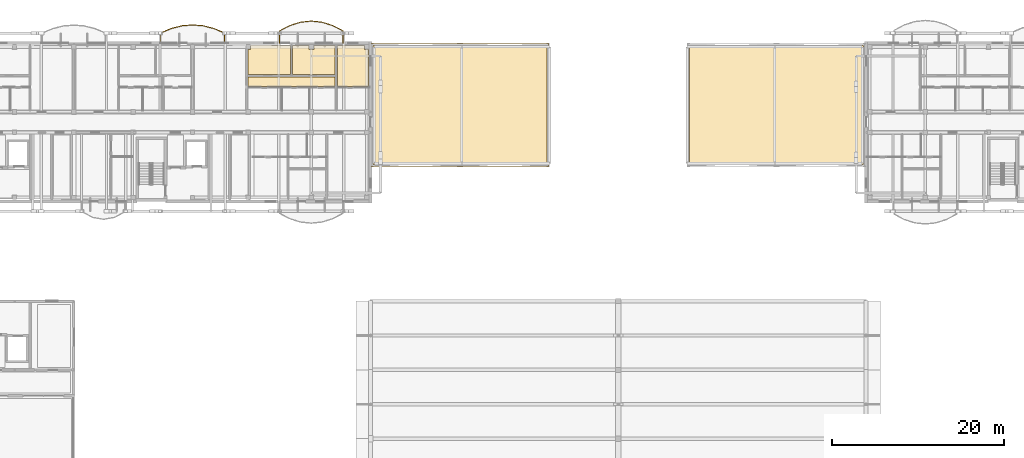
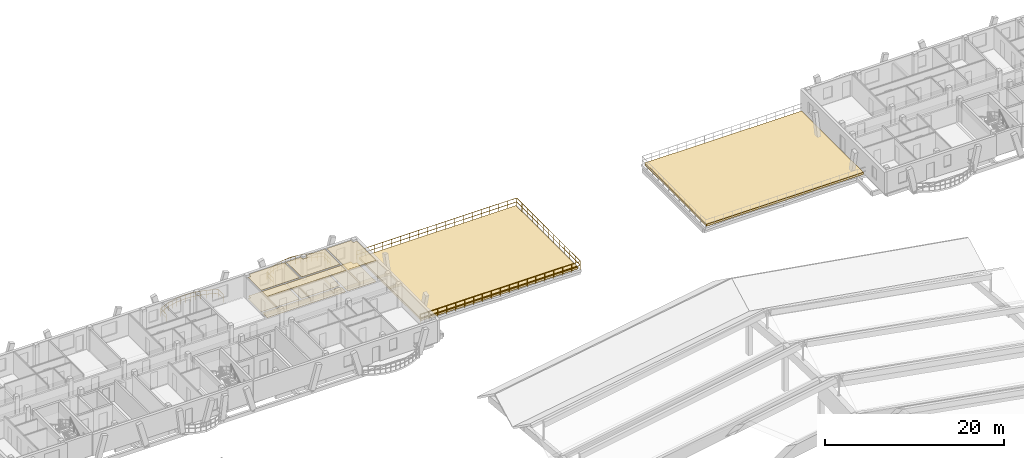
# One storey, part 98 of 109: 10 coverings, 3 railings.
"""IFC4 building model written with IfcOpenShell, lengths in metres."""

from ifc_helpers import new_model, si_unit, direction, frame, origin, origin_2d, place, context, subcontext, project, spatial, polyline, rectangle, outline, extrude, material, layer, layer_set, type_object, element, save


model = new_model("IFC4")

# Units and contexts
model_context = context("Model", 3, precision=1e-05, world=origin(), true_north=direction((0.0, 1.0)))
body_context = subcontext(model_context, "Body", "Model", "MODEL_VIEW")
ifc_project = project(units=[si_unit("LENGTHUNIT", "METRE"), si_unit("AREAUNIT", "SQUARE_METRE"), si_unit("VOLUMEUNIT", "CUBIC_METRE"), si_unit("PLANEANGLEUNIT", "RADIAN"), si_unit("MASSUNIT", "GRAM", prefix="KILO")], contexts=[model_context])

# Site, building, storey
site_placement = place(None, origin())
site = spatial("IfcSite", under=ifc_project, at=site_placement, CompositionType="ELEMENT")
building_placement = place(site_placement, origin())
building = spatial("IfcBuilding", under=site, at=building_placement, Name="Zavelmont Quarter", CompositionType="ELEMENT")
storey_placement = place(building_placement, frame((0.0, 0.0, 8.0)))
storey = spatial("IfcBuildingStorey", under=building, at=storey_placement, Name="L02", CompositionType="ELEMENT", Elevation=8.0)

# Coverings
ifc_material_1 = material(Name="Perforated acoustic gypsum board")
ifc_layer_1 = layer(ifc_material_1, 0.02490234375)
ifc_layer_set_1 = layer_set([ifc_layer_1], Name="Perforated acoustic gypsum board")
covering_type_1 = type_object("IfcCoveringType", Name="CV-CL01", PredefinedType="CEILING", material=ifc_layer_set_1)
covering_1_placement = place(storey_placement, frame((0.0, 0.0, 2.9150390625)))
element("IfcCovering", 1, at=covering_1_placement, inside=storey, type_object=covering_type_1, Name="L02 Single Bedroom acoustic ceiling", PredefinedType="CEILING", context=body_context, shape_type="SweptSolid", body=[
    extrude(outline(polyline([(40.929931640625, 115.27001953125), (41.25, 115.27001953125), (41.25, 115.719970703125), (45.8701171875, 115.719970703125), (45.8701171875, 112.330078125), (40.929931640625, 112.330078125), (40.929931640625, 115.27001953125)])), origin(), (0.0, 0.0, 1.0), 0.02490234375),
])
covering_2_placement = place(storey_placement, frame((0.0, 0.0, 2.9150390625)))
element("IfcCovering", 2, at=covering_2_placement, inside=storey, type_object=covering_type_1, Name="L02 Double Bedroom acoustic ceiling", PredefinedType="CEILING", context=body_context, shape_type="SweptSolid", body=[
    extrude(outline(polyline([(46.1298828125, 115.719970703125), (48.010009765625, 115.719970703125), (48.010009765625, 115.27001953125), (48.590087890625, 115.27001953125), (48.590087890625, 115.719970703125), (51.070068359375, 115.719970703125), (51.070068359375, 112.330078125), (46.1298828125, 112.330078125), (46.1298828125, 115.719970703125)])), origin(), (0.0, 0.0, 1.0), 0.02490234375),
])
covering_3_placement = place(storey_placement, frame((0.0, 0.0, 2.9150390625)))
element("IfcCovering", 3, at=covering_3_placement, inside=storey, type_object=covering_type_1, Name="L02 Master Bedroom acoustic ceiling", PredefinedType="CEILING", context=body_context, shape_type="SweptSolid", body=[
    extrude(outline(polyline([(51.330078125, 115.719970703125), (54.469970703125, 115.719970703125), (54.469970703125, 115.27001953125), (54.969970703125, 115.27001953125), (54.969970703125, 110.97998046875), (51.330078125, 110.97998046875), (51.330078125, 115.719970703125)])), origin(), (0.0, 0.0, 1.0), 0.02490234375),
])
ifc_material_2 = material(Name="Slatted European ash acoustic baffle ceiling")
ifc_layer_2 = layer(ifc_material_2, 0.0400390625)
ifc_layer_set_2 = layer_set([ifc_layer_2], Name="Slatted European ash acoustic baffle ceiling")
covering_type_2 = type_object("IfcCoveringType", Name="CV-CL02", PredefinedType="CEILING", material=ifc_layer_set_2)
covering_4_placement = place(storey_placement, frame((0.0, 0.0, 2.89990234375)))
element("IfcCovering", 4, at=covering_4_placement, inside=storey, type_object=covering_type_2, Name="L02 Apartment Hall acoustic ceiling", PredefinedType="CEILING", context=body_context, shape_type="SweptSolid", body=[
    extrude(outline(polyline([(40.929931640625, 112.070068359375), (51.070068359375, 112.070068359375), (51.070068359375, 110.97998046875), (40.929931640625, 110.97998046875), (40.929931640625, 112.070068359375)])), origin(), (0.0, 0.0, 1.0), 0.0400390625),
])
ifc_material_3 = material(Name="Engineered European oak parquet")
ifc_layer_3 = layer(ifc_material_3, 0.02197265625)
ifc_layer_set_3 = layer_set([ifc_layer_3], Name="Engineered European oak parquet")
covering_type_3 = type_object("IfcCoveringType", Name="CV-FL01", PredefinedType="FLOORING", material=ifc_layer_set_3)
covering_5_placement = place(storey_placement, origin())
element("IfcCovering", 5, at=covering_5_placement, inside=storey, type_object=covering_type_3, Name="L02 Single Bedroom floor finish", PredefinedType="FLOORING", context=body_context, shape_type="SweptSolid", body=[
    extrude(outline(polyline([(40.929931640625, 115.27001953125), (41.25, 115.27001953125), (41.25, 115.719970703125), (45.8701171875, 115.719970703125), (45.8701171875, 112.330078125), (40.929931640625, 112.330078125), (40.929931640625, 115.27001953125)])), origin(), (0.0, 0.0, 1.0), 0.02197265625),
])
covering_6_placement = place(storey_placement, origin())
element("IfcCovering", 6, at=covering_6_placement, inside=storey, type_object=covering_type_3, Name="L02 Double Bedroom floor finish", PredefinedType="FLOORING", context=body_context, shape_type="SweptSolid", body=[
    extrude(outline(polyline([(46.1298828125, 115.719970703125), (48.010009765625, 115.719970703125), (48.010009765625, 115.27001953125), (48.590087890625, 115.27001953125), (48.590087890625, 115.719970703125), (51.070068359375, 115.719970703125), (51.070068359375, 112.330078125), (46.1298828125, 112.330078125), (46.1298828125, 115.719970703125)])), origin(), (0.0, 0.0, 1.0), 0.02197265625),
])
covering_7_placement = place(storey_placement, origin())
element("IfcCovering", 7, at=covering_7_placement, inside=storey, type_object=covering_type_3, Name="L02 Master Bedroom floor finish", PredefinedType="FLOORING", context=body_context, shape_type="SweptSolid", body=[
    extrude(outline(polyline([(51.330078125, 115.719970703125), (54.469970703125, 115.719970703125), (54.469970703125, 115.27001953125), (54.969970703125, 115.27001953125), (54.969970703125, 110.97998046875), (51.330078125, 110.97998046875), (51.330078125, 115.719970703125)])), origin(), (0.0, 0.0, 1.0), 0.02197265625),
])
ifc_material_4 = material(Name="Honed Belgian bluestone tile", Category="masonry")
ifc_layer_4 = layer(ifc_material_4, 0.030029296875)
ifc_layer_set_4 = layer_set([ifc_layer_4], Name="Honed Belgian bluestone tile")
covering_type_4 = type_object("IfcCoveringType", Name="CV-FL02", PredefinedType="FLOORING", material=ifc_layer_set_4)
covering_8_placement = place(storey_placement, origin())
element("IfcCovering", 8, at=covering_8_placement, inside=storey, type_object=covering_type_4, Name="L02 Apartment Hall floor finish", PredefinedType="FLOORING", context=body_context, shape_type="SweptSolid", body=[
    extrude(outline(polyline([(40.929931640625, 112.070068359375), (51.070068359375, 112.070068359375), (51.070068359375, 110.97998046875), (40.929931640625, 110.97998046875), (40.929931640625, 112.070068359375)])), origin(), (0.0, 0.0, 1.0), 0.030029296875),
])
ifc_material_5 = material(Name="EPDM waterproofing membrane and mineral insulation")
ifc_layer_5 = layer(ifc_material_5, 0.280029296875)
ifc_layer_set_5 = layer_set([ifc_layer_5], Name="EPDM waterproofing membrane and mineral insulation")
covering_type_5 = type_object("IfcCoveringType", Name="CV-RF02", PredefinedType="ROOFING", material=ifc_layer_set_5)
covering_9_placement = place(storey_placement, origin())
element("IfcCovering", 9, at=covering_9_placement, inside=storey, type_object=covering_type_5, Name="L02 roof build-up CV-RF02", PredefinedType="ROOFING", context=body_context, shape_type="SweptSolid", body=[
    extrude(outline(polyline([(55.5, 101.89990234375), (75.699951171875, 101.89990234375), (75.699951171875, 115.699951171875), (55.5, 115.699951171875), (55.5, 101.89990234375)])), origin(), (0.0, 0.0, 1.0), 0.280029296875),
])
covering_10_placement = place(storey_placement, origin())
element("IfcCovering", 10, at=covering_10_placement, inside=storey, type_object=covering_type_5, Name="L02 roof build-up CV-RF02", PredefinedType="ROOFING", context=body_context, shape_type="SweptSolid", body=[
    extrude(outline(polyline([(92.300048828125, 101.89990234375), (112.5, 101.89990234375), (112.5, 115.699951171875), (92.300048828125, 115.699951171875), (92.300048828125, 101.89990234375)])), origin(), (0.0, 0.0, 1.0), 0.280029296875),
])

# Railings
ifc_material_6 = material(Name="Powder-coated steel and tempered double safety glass", Category="steel")
railing_type_1 = type_object("IfcRailingType", Name="RL-BAL1", PredefinedType="BALUSTRADE", material=ifc_material_6)
railing_1_placement = place(storey_placement, frame((38.1962890625, 116.02001953125, 0.0)))
element("IfcRailing", 11, at=railing_1_placement, inside=storey, type_object=railing_type_1, Name="L02 Block B curved balcony guard RL-BAL1", PredefinedType="BALUSTRADE", context=body_context, shape_type="SweptSolid", body=[
    extrude(rectangle(XDim=0.048095703125, YDim=0.048095703125, at=origin_2d()), frame((0.0, 0.0, 1.076171875), z_axis=(0.0, 1.0, 0.0), x_axis=(-1.0, 0.0, 0.0)), (0.0, 0.0, 1.0), 1.16650390625),
    extrude(rectangle(XDim=0.048095703125, YDim=0.048095703125, at=origin_2d()), frame((0.0, 0.0, 0.550048828125), z_axis=(0.0, 1.0, 0.0), x_axis=(-1.0, 0.0, 0.0)), (0.0, 0.0, 1.0), 1.16650390625),
    extrude(rectangle(XDim=0.048095703125, YDim=0.048095703125, at=origin_2d()), frame((0.0, 1.16650390625, 1.076171875), z_axis=(-0.921834664302, 0.387583348058, 0.0), x_axis=(-0.387583348058, -0.921834664302, 0.0)), (0.0, 0.0, 1.0), 1.336669921875),
    extrude(rectangle(XDim=0.048095703125, YDim=0.048095703125, at=origin_2d()), frame((0.0, 1.16650390625, 0.550048828125), z_axis=(-0.921834664302, 0.387583348058, 0.0), x_axis=(-0.387583348058, -0.921834664302, 0.0)), (0.0, 0.0, 1.0), 1.336669921875),
    extrude(rectangle(XDim=0.048095703125, YDim=0.048095703125, at=origin_2d()), frame((-1.232177734375, 1.6845703125, 1.076171875), z_axis=(-0.969620318636, 0.244614876263, 0.0), x_axis=(-0.244614876263, -0.969620318636, 0.0)), (0.0, 0.0, 1.0), 1.2705078125),
    extrude(rectangle(XDim=0.048095703125, YDim=0.048095703125, at=origin_2d()), frame((-1.232177734375, 1.6845703125, 0.550048828125), z_axis=(-0.969620318636, 0.244614876263, 0.0), x_axis=(-0.244614876263, -0.969620318636, 0.0)), (0.0, 0.0, 1.0), 1.2705078125),
    extrude(rectangle(XDim=0.048095703125, YDim=0.048095703125, at=origin_2d()), frame((-2.464111328125, 1.995361328125, 1.076171875), z_axis=(-0.996489704633, 0.083715402172, 0.0), x_axis=(-0.083715402172, -0.996489704633, 0.0)), (0.0, 0.0, 1.0), 1.236572265625),
    extrude(rectangle(XDim=0.048095703125, YDim=0.048095703125, at=origin_2d()), frame((-2.464111328125, 1.995361328125, 0.550048828125), z_axis=(-0.996489704633, 0.083715402172, 0.0), x_axis=(-0.083715402172, -0.996489704633, 0.0)), (0.0, 0.0, 1.0), 1.236572265625),
    extrude(rectangle(XDim=0.048095703125, YDim=0.048095703125, at=origin_2d()), frame((-3.6962890625, 2.098876953125, 1.076171875), z_axis=(-0.996489704633, -0.083715402172, 0.0), x_axis=(0.083715402172, -0.996489704633, 0.0)), (0.0, 0.0, 1.0), 1.236572265625),
    extrude(rectangle(XDim=0.048095703125, YDim=0.048095703125, at=origin_2d()), frame((-3.6962890625, 2.098876953125, 0.550048828125), z_axis=(-0.996489704633, -0.083715402172, 0.0), x_axis=(0.083715402172, -0.996489704633, 0.0)), (0.0, 0.0, 1.0), 1.236572265625),
    extrude(rectangle(XDim=0.048095703125, YDim=0.048095703125, at=origin_2d()), frame((-4.928466796875, 1.995361328125, 1.076171875), z_axis=(-0.969620318636, -0.244614876263, 0.0), x_axis=(0.244614876263, -0.969620318636, 0.0)), (0.0, 0.0, 1.0), 1.2705078125),
    extrude(rectangle(XDim=0.048095703125, YDim=0.048095703125, at=origin_2d()), frame((-4.928466796875, 1.995361328125, 0.550048828125), z_axis=(-0.969620318636, -0.244614876263, 0.0), x_axis=(0.244614876263, -0.969620318636, 0.0)), (0.0, 0.0, 1.0), 1.2705078125),
    extrude(rectangle(XDim=0.048095703125, YDim=0.048095703125, at=origin_2d()), frame((-6.160400390625, 1.6845703125, 1.076171875), z_axis=(-0.921834664302, -0.387583348058, 0.0), x_axis=(0.387583348058, -0.921834664302, 0.0)), (0.0, 0.0, 1.0), 1.336669921875),
    extrude(rectangle(XDim=0.048095703125, YDim=0.048095703125, at=origin_2d()), frame((-6.160400390625, 1.6845703125, 0.550048828125), z_axis=(-0.921834664302, -0.387583348058, 0.0), x_axis=(0.387583348058, -0.921834664302, 0.0)), (0.0, 0.0, 1.0), 1.336669921875),
    extrude(rectangle(XDim=0.048095703125, YDim=0.048095703125, at=origin_2d()), frame((-7.392578125, 1.16650390625, 1.076171875), z_axis=(0.0, -1.0, 0.0), x_axis=(1.0, 0.0, 0.0)), (0.0, 0.0, 1.0), 1.16650390625),
    extrude(rectangle(XDim=0.048095703125, YDim=0.048095703125, at=origin_2d()), frame((-7.392578125, 1.16650390625, 0.550048828125), z_axis=(0.0, -1.0, 0.0), x_axis=(1.0, 0.0, 0.0)), (0.0, 0.0, 1.0), 1.16650390625),
    extrude(rectangle(XDim=0.0419921875, YDim=0.0419921875, at=origin_2d()), origin(), (0.0, 0.0, 1.0), 1.052001953125),
    extrude(rectangle(XDim=0.0419921875, YDim=0.0419921875, at=origin_2d()), frame((0.0, 1.16650390625, 0.0)), (0.0, 0.0, 1.0), 1.052001953125),
    extrude(rectangle(XDim=0.0419921875, YDim=0.0419921875, at=origin_2d()), frame((-0.6162109375, 1.425537109375, 0.0)), (0.0, 0.0, 1.0), 1.052001953125),
    extrude(rectangle(XDim=0.0419921875, YDim=0.0419921875, at=origin_2d()), frame((-1.232177734375, 1.6845703125, 0.0)), (0.0, 0.0, 1.0), 1.052001953125),
    extrude(rectangle(XDim=0.0419921875, YDim=0.0419921875, at=origin_2d()), frame((-1.84814453125, 1.83984375, 0.0)), (0.0, 0.0, 1.0), 1.052001953125),
    extrude(rectangle(XDim=0.0419921875, YDim=0.0419921875, at=origin_2d()), frame((-2.464111328125, 1.995361328125, 0.0)), (0.0, 0.0, 1.0), 1.052001953125),
    extrude(rectangle(XDim=0.0419921875, YDim=0.0419921875, at=origin_2d()), frame((-3.080078125, 2.047119140625, 0.0)), (0.0, 0.0, 1.0), 1.052001953125),
    extrude(rectangle(XDim=0.0419921875, YDim=0.0419921875, at=origin_2d()), frame((-3.6962890625, 2.098876953125, 0.0)), (0.0, 0.0, 1.0), 1.052001953125),
    extrude(rectangle(XDim=0.0419921875, YDim=0.0419921875, at=origin_2d()), frame((-4.3125, 2.047119140625, 0.0)), (0.0, 0.0, 1.0), 1.052001953125),
    extrude(rectangle(XDim=0.0419921875, YDim=0.0419921875, at=origin_2d()), frame((-4.928466796875, 1.995361328125, 0.0)), (0.0, 0.0, 1.0), 1.052001953125),
    extrude(rectangle(XDim=0.0419921875, YDim=0.0419921875, at=origin_2d()), frame((-5.54443359375, 1.83984375, 0.0)), (0.0, 0.0, 1.0), 1.052001953125),
    extrude(rectangle(XDim=0.0419921875, YDim=0.0419921875, at=origin_2d()), frame((-6.160400390625, 1.6845703125, 0.0)), (0.0, 0.0, 1.0), 1.052001953125),
    extrude(rectangle(XDim=0.0419921875, YDim=0.0419921875, at=origin_2d()), frame((-6.7763671875, 1.425537109375, 0.0)), (0.0, 0.0, 1.0), 1.052001953125),
    extrude(rectangle(XDim=0.0419921875, YDim=0.0419921875, at=origin_2d()), frame((-7.392578125, 1.16650390625, 0.0)), (0.0, 0.0, 1.0), 1.052001953125),
    extrude(rectangle(XDim=0.0419921875, YDim=0.0419921875, at=origin_2d()), frame((-7.392578125, 0.0, 0.0)), (0.0, 0.0, 1.0), 1.052001953125),
])
railing_2_placement = place(storey_placement, frame((51.974365234375, 116.02001953125, 0.0)))
element("IfcRailing", 12, at=railing_2_placement, inside=storey, type_object=railing_type_1, Name="L02 Block B curved balcony guard RL-BAL1", PredefinedType="BALUSTRADE", context=body_context, shape_type="SweptSolid", body=[
    extrude(rectangle(XDim=0.048095703125, YDim=0.048095703125, at=origin_2d()), frame((0.0, 0.0, 1.076171875), z_axis=(0.0, 1.0, 0.0), x_axis=(-1.0, 0.0, 0.0)), (0.0, 0.0, 1.0), 1.414794921875),
    extrude(rectangle(XDim=0.048095703125, YDim=0.048095703125, at=origin_2d()), frame((0.0, 0.0, 0.550048828125), z_axis=(0.0, 1.0, 0.0), x_axis=(-1.0, 0.0, 0.0)), (0.0, 0.0, 1.0), 1.414794921875),
    extrude(rectangle(XDim=0.048095703125, YDim=0.048095703125, at=origin_2d()), frame((0.0, 1.414794921875, 1.076171875), z_axis=(-0.890380336139, 0.45521737337, 0.0), x_axis=(-0.45521737337, -0.890380336139, 0.0)), (0.0, 0.0, 1.0), 1.375732421875),
    extrude(rectangle(XDim=0.048095703125, YDim=0.048095703125, at=origin_2d()), frame((0.0, 1.414794921875, 0.550048828125), z_axis=(-0.890380336139, 0.45521737337, 0.0), x_axis=(-0.45521737337, -0.890380336139, 0.0)), (0.0, 0.0, 1.0), 1.375732421875),
    extrude(rectangle(XDim=0.048095703125, YDim=0.048095703125, at=origin_2d()), frame((-1.224853515625, 2.041015625, 1.076171875), z_axis=(-0.956013596625, 0.29332235351, 0.0), x_axis=(-0.29332235351, -0.956013596625, 0.0)), (0.0, 0.0, 1.0), 1.281005859375),
    extrude(rectangle(XDim=0.048095703125, YDim=0.048095703125, at=origin_2d()), frame((-1.224853515625, 2.041015625, 0.550048828125), z_axis=(-0.956013596625, 0.29332235351, 0.0), x_axis=(-0.29332235351, -0.956013596625, 0.0)), (0.0, 0.0, 1.0), 1.281005859375),
    extrude(rectangle(XDim=0.048095703125, YDim=0.048095703125, at=origin_2d()), frame((-2.449462890625, 2.416748046875, 1.076171875), z_axis=(-0.994812869709, 0.101721945816, 0.0), x_axis=(-0.101721945816, -0.994812869709, 0.0)), (0.0, 0.0, 1.0), 1.231201171875),
    extrude(rectangle(XDim=0.048095703125, YDim=0.048095703125, at=origin_2d()), frame((-2.449462890625, 2.416748046875, 0.550048828125), z_axis=(-0.994812869709, 0.101721945816, 0.0), x_axis=(-0.101721945816, -0.994812869709, 0.0)), (0.0, 0.0, 1.0), 1.231201171875),
    extrude(rectangle(XDim=0.048095703125, YDim=0.048095703125, at=origin_2d()), frame((-3.67431640625, 2.5419921875, 1.076171875), z_axis=(-0.994812869709, -0.101721945816, 0.0), x_axis=(0.101721945816, -0.994812869709, 0.0)), (0.0, 0.0, 1.0), 1.231201171875),
    extrude(rectangle(XDim=0.048095703125, YDim=0.048095703125, at=origin_2d()), frame((-3.67431640625, 2.5419921875, 0.550048828125), z_axis=(-0.994812869709, -0.101721945816, 0.0), x_axis=(0.101721945816, -0.994812869709, 0.0)), (0.0, 0.0, 1.0), 1.231201171875),
    extrude(rectangle(XDim=0.048095703125, YDim=0.048095703125, at=origin_2d()), frame((-4.899169921875, 2.416748046875, 1.076171875), z_axis=(-0.956013596625, -0.29332235351, 0.0), x_axis=(0.29332235351, -0.956013596625, 0.0)), (0.0, 0.0, 1.0), 1.281005859375),
    extrude(rectangle(XDim=0.048095703125, YDim=0.048095703125, at=origin_2d()), frame((-4.899169921875, 2.416748046875, 0.550048828125), z_axis=(-0.956013596625, -0.29332235351, 0.0), x_axis=(0.29332235351, -0.956013596625, 0.0)), (0.0, 0.0, 1.0), 1.281005859375),
    extrude(rectangle(XDim=0.048095703125, YDim=0.048095703125, at=origin_2d()), frame((-6.123779296875, 2.041015625, 1.076171875), z_axis=(-0.890380336139, -0.45521737337, 0.0), x_axis=(0.45521737337, -0.890380336139, 0.0)), (0.0, 0.0, 1.0), 1.375732421875),
    extrude(rectangle(XDim=0.048095703125, YDim=0.048095703125, at=origin_2d()), frame((-6.123779296875, 2.041015625, 0.550048828125), z_axis=(-0.890380336139, -0.45521737337, 0.0), x_axis=(0.45521737337, -0.890380336139, 0.0)), (0.0, 0.0, 1.0), 1.375732421875),
    extrude(rectangle(XDim=0.048095703125, YDim=0.048095703125, at=origin_2d()), frame((-7.3486328125, 1.414794921875, 1.076171875), z_axis=(0.0, -1.0, 0.0), x_axis=(1.0, 0.0, 0.0)), (0.0, 0.0, 1.0), 1.414794921875),
    extrude(rectangle(XDim=0.048095703125, YDim=0.048095703125, at=origin_2d()), frame((-7.3486328125, 1.414794921875, 0.550048828125), z_axis=(0.0, -1.0, 0.0), x_axis=(1.0, 0.0, 0.0)), (0.0, 0.0, 1.0), 1.414794921875),
    extrude(rectangle(XDim=0.0419921875, YDim=0.0419921875, at=origin_2d()), origin(), (0.0, 0.0, 1.0), 1.052001953125),
    extrude(rectangle(XDim=0.0419921875, YDim=0.0419921875, at=origin_2d()), frame((0.0, 0.70751953125, 0.0)), (0.0, 0.0, 1.0), 1.052001953125),
    extrude(rectangle(XDim=0.0419921875, YDim=0.0419921875, at=origin_2d()), frame((0.0, 1.414794921875, 0.0)), (0.0, 0.0, 1.0), 1.052001953125),
    extrude(rectangle(XDim=0.0419921875, YDim=0.0419921875, at=origin_2d()), frame((-0.6123046875, 1.72802734375, 0.0)), (0.0, 0.0, 1.0), 1.052001953125),
    extrude(rectangle(XDim=0.0419921875, YDim=0.0419921875, at=origin_2d()), frame((-1.224853515625, 2.041015625, 0.0)), (0.0, 0.0, 1.0), 1.052001953125),
    extrude(rectangle(XDim=0.0419921875, YDim=0.0419921875, at=origin_2d()), frame((-1.837158203125, 2.22900390625, 0.0)), (0.0, 0.0, 1.0), 1.052001953125),
    extrude(rectangle(XDim=0.0419921875, YDim=0.0419921875, at=origin_2d()), frame((-2.449462890625, 2.416748046875, 0.0)), (0.0, 0.0, 1.0), 1.052001953125),
    extrude(rectangle(XDim=0.0419921875, YDim=0.0419921875, at=origin_2d()), frame((-3.06201171875, 2.4794921875, 0.0)), (0.0, 0.0, 1.0), 1.052001953125),
    extrude(rectangle(XDim=0.0419921875, YDim=0.0419921875, at=origin_2d()), frame((-3.67431640625, 2.5419921875, 0.0)), (0.0, 0.0, 1.0), 1.052001953125),
    extrude(rectangle(XDim=0.0419921875, YDim=0.0419921875, at=origin_2d()), frame((-4.28662109375, 2.4794921875, 0.0)), (0.0, 0.0, 1.0), 1.052001953125),
    extrude(rectangle(XDim=0.0419921875, YDim=0.0419921875, at=origin_2d()), frame((-4.899169921875, 2.416748046875, 0.0)), (0.0, 0.0, 1.0), 1.052001953125),
    extrude(rectangle(XDim=0.0419921875, YDim=0.0419921875, at=origin_2d()), frame((-5.511474609375, 2.22900390625, 0.0)), (0.0, 0.0, 1.0), 1.052001953125),
    extrude(rectangle(XDim=0.0419921875, YDim=0.0419921875, at=origin_2d()), frame((-6.123779296875, 2.041015625, 0.0)), (0.0, 0.0, 1.0), 1.052001953125),
    extrude(rectangle(XDim=0.0419921875, YDim=0.0419921875, at=origin_2d()), frame((-6.736328125, 1.72802734375, 0.0)), (0.0, 0.0, 1.0), 1.052001953125),
    extrude(rectangle(XDim=0.0419921875, YDim=0.0419921875, at=origin_2d()), frame((-7.3486328125, 1.414794921875, 0.0)), (0.0, 0.0, 1.0), 1.052001953125),
    extrude(rectangle(XDim=0.0419921875, YDim=0.0419921875, at=origin_2d()), frame((-7.3486328125, 0.70751953125, 0.0)), (0.0, 0.0, 1.0), 1.052001953125),
    extrude(rectangle(XDim=0.0419921875, YDim=0.0419921875, at=origin_2d()), frame((-7.3486328125, 0.0, 0.0)), (0.0, 0.0, 1.0), 1.052001953125),
])
railing_type_2 = type_object("IfcRailingType", Name="RL-TER1", PredefinedType="BALUSTRADE", material=ifc_material_6)
railing_3_placement = place(storey_placement, frame((55.25, 101.679931640625, 0.0)))
element("IfcRailing", 13, at=railing_3_placement, inside=storey, type_object=railing_type_2, Name="L02 NW Street Arcade roof garden guard RL-TER1", PredefinedType="BALUSTRADE", context=body_context, shape_type="SweptSolid", body=[
    extrude(rectangle(XDim=0.048095703125, YDim=0.048095703125, at=origin_2d()), frame((0.0, 0.0, 1.09619140625), z_axis=(1.0, 0.0, 0.0), x_axis=(0.0, 1.0, 0.0)), (0.0, 0.0, 1.0), 20.669921875),
    extrude(rectangle(XDim=0.048095703125, YDim=0.048095703125, at=origin_2d()), frame((0.0, 0.0, 0.56005859375), z_axis=(1.0, 0.0, 0.0), x_axis=(0.0, 1.0, 0.0)), (0.0, 0.0, 1.0), 20.669921875),
    extrude(rectangle(XDim=0.048095703125, YDim=0.048095703125, at=origin_2d()), frame((20.669921875, 0.0, 1.09619140625), z_axis=(0.0, 1.0, 0.0), x_axis=(-1.0, 0.0, 0.0)), (0.0, 0.0, 1.0), 14.239990234375),
    extrude(rectangle(XDim=0.048095703125, YDim=0.048095703125, at=origin_2d()), frame((20.669921875, 0.0, 0.56005859375), z_axis=(0.0, 1.0, 0.0), x_axis=(-1.0, 0.0, 0.0)), (0.0, 0.0, 1.0), 14.239990234375),
    extrude(rectangle(XDim=0.048095703125, YDim=0.048095703125, at=origin_2d()), frame((20.669921875, 14.239990234375, 1.09619140625), z_axis=(-1.0, 0.0, 0.0), x_axis=(0.0, -1.0, 0.0)), (0.0, 0.0, 1.0), 20.669921875),
    extrude(rectangle(XDim=0.048095703125, YDim=0.048095703125, at=origin_2d()), frame((20.669921875, 14.239990234375, 0.56005859375), z_axis=(-1.0, 0.0, 0.0), x_axis=(0.0, -1.0, 0.0)), (0.0, 0.0, 1.0), 20.669921875),
    extrude(rectangle(XDim=0.0419921875, YDim=0.0419921875, at=origin_2d()), origin(), (0.0, 0.0, 1.0), 1.072021484375),
    extrude(rectangle(XDim=0.0419921875, YDim=0.0419921875, at=origin_2d()), frame((1.1484375, 0.0, 0.0)), (0.0, 0.0, 1.0), 1.072021484375),
    extrude(rectangle(XDim=0.0419921875, YDim=0.0419921875, at=origin_2d()), frame((2.296630859375, 0.0, 0.0)), (0.0, 0.0, 1.0), 1.072021484375),
    extrude(rectangle(XDim=0.0419921875, YDim=0.0419921875, at=origin_2d()), frame((3.445068359375, 0.0, 0.0)), (0.0, 0.0, 1.0), 1.072021484375),
    extrude(rectangle(XDim=0.0419921875, YDim=0.0419921875, at=origin_2d()), frame((4.59326171875, 0.0, 0.0)), (0.0, 0.0, 1.0), 1.072021484375),
    extrude(rectangle(XDim=0.0419921875, YDim=0.0419921875, at=origin_2d()), frame((5.74169921875, 0.0, 0.0)), (0.0, 0.0, 1.0), 1.072021484375),
    extrude(rectangle(XDim=0.0419921875, YDim=0.0419921875, at=origin_2d()), frame((6.889892578125, 0.0, 0.0)), (0.0, 0.0, 1.0), 1.072021484375),
    extrude(rectangle(XDim=0.0419921875, YDim=0.0419921875, at=origin_2d()), frame((8.038330078125, 0.0, 0.0)), (0.0, 0.0, 1.0), 1.072021484375),
    extrude(rectangle(XDim=0.0419921875, YDim=0.0419921875, at=origin_2d()), frame((9.1865234375, 0.0, 0.0)), (0.0, 0.0, 1.0), 1.072021484375),
    extrude(rectangle(XDim=0.0419921875, YDim=0.0419921875, at=origin_2d()), frame((10.3349609375, 0.0, 0.0)), (0.0, 0.0, 1.0), 1.072021484375),
    extrude(rectangle(XDim=0.0419921875, YDim=0.0419921875, at=origin_2d()), frame((11.4833984375, 0.0, 0.0)), (0.0, 0.0, 1.0), 1.072021484375),
    extrude(rectangle(XDim=0.0419921875, YDim=0.0419921875, at=origin_2d()), frame((12.631591796875, 0.0, 0.0)), (0.0, 0.0, 1.0), 1.072021484375),
    extrude(rectangle(XDim=0.0419921875, YDim=0.0419921875, at=origin_2d()), frame((13.780029296875, 0.0, 0.0)), (0.0, 0.0, 1.0), 1.072021484375),
    extrude(rectangle(XDim=0.0419921875, YDim=0.0419921875, at=origin_2d()), frame((14.92822265625, 0.0, 0.0)), (0.0, 0.0, 1.0), 1.072021484375),
    extrude(rectangle(XDim=0.0419921875, YDim=0.0419921875, at=origin_2d()), frame((16.07666015625, 0.0, 0.0)), (0.0, 0.0, 1.0), 1.072021484375),
    extrude(rectangle(XDim=0.0419921875, YDim=0.0419921875, at=origin_2d()), frame((17.224853515625, 0.0, 0.0)), (0.0, 0.0, 1.0), 1.072021484375),
    extrude(rectangle(XDim=0.0419921875, YDim=0.0419921875, at=origin_2d()), frame((18.373291015625, 0.0, 0.0)), (0.0, 0.0, 1.0), 1.072021484375),
    extrude(rectangle(XDim=0.0419921875, YDim=0.0419921875, at=origin_2d()), frame((19.521484375, 0.0, 0.0)), (0.0, 0.0, 1.0), 1.072021484375),
    extrude(rectangle(XDim=0.0419921875, YDim=0.0419921875, at=origin_2d()), frame((20.669921875, 0.0, 0.0)), (0.0, 0.0, 1.0), 1.072021484375),
    extrude(rectangle(XDim=0.0419921875, YDim=0.0419921875, at=origin_2d()), frame((20.669921875, 1.186767578125, 0.0)), (0.0, 0.0, 1.0), 1.072021484375),
    extrude(rectangle(XDim=0.0419921875, YDim=0.0419921875, at=origin_2d()), frame((20.669921875, 2.373291015625, 0.0)), (0.0, 0.0, 1.0), 1.072021484375),
    extrude(rectangle(XDim=0.0419921875, YDim=0.0419921875, at=origin_2d()), frame((20.669921875, 3.56005859375, 0.0)), (0.0, 0.0, 1.0), 1.072021484375),
    extrude(rectangle(XDim=0.0419921875, YDim=0.0419921875, at=origin_2d()), frame((20.669921875, 4.74658203125, 0.0)), (0.0, 0.0, 1.0), 1.072021484375),
    extrude(rectangle(XDim=0.0419921875, YDim=0.0419921875, at=origin_2d()), frame((20.669921875, 5.933349609375, 0.0)), (0.0, 0.0, 1.0), 1.072021484375),
    extrude(rectangle(XDim=0.0419921875, YDim=0.0419921875, at=origin_2d()), frame((20.669921875, 7.1201171875, 0.0)), (0.0, 0.0, 1.0), 1.072021484375),
    extrude(rectangle(XDim=0.0419921875, YDim=0.0419921875, at=origin_2d()), frame((20.669921875, 8.306640625, 0.0)), (0.0, 0.0, 1.0), 1.072021484375),
    extrude(rectangle(XDim=0.0419921875, YDim=0.0419921875, at=origin_2d()), frame((20.669921875, 9.493408203125, 0.0)), (0.0, 0.0, 1.0), 1.072021484375),
    extrude(rectangle(XDim=0.0419921875, YDim=0.0419921875, at=origin_2d()), frame((20.669921875, 10.679931640625, 0.0)), (0.0, 0.0, 1.0), 1.072021484375),
    extrude(rectangle(XDim=0.0419921875, YDim=0.0419921875, at=origin_2d()), frame((20.669921875, 11.86669921875, 0.0)), (0.0, 0.0, 1.0), 1.072021484375),
    extrude(rectangle(XDim=0.0419921875, YDim=0.0419921875, at=origin_2d()), frame((20.669921875, 13.05322265625, 0.0)), (0.0, 0.0, 1.0), 1.072021484375),
    extrude(rectangle(XDim=0.0419921875, YDim=0.0419921875, at=origin_2d()), frame((20.669921875, 14.239990234375, 0.0)), (0.0, 0.0, 1.0), 1.072021484375),
    extrude(rectangle(XDim=0.0419921875, YDim=0.0419921875, at=origin_2d()), frame((19.521484375, 14.239990234375, 0.0)), (0.0, 0.0, 1.0), 1.072021484375),
    extrude(rectangle(XDim=0.0419921875, YDim=0.0419921875, at=origin_2d()), frame((18.373291015625, 14.239990234375, 0.0)), (0.0, 0.0, 1.0), 1.072021484375),
    extrude(rectangle(XDim=0.0419921875, YDim=0.0419921875, at=origin_2d()), frame((17.224853515625, 14.239990234375, 0.0)), (0.0, 0.0, 1.0), 1.072021484375),
    extrude(rectangle(XDim=0.0419921875, YDim=0.0419921875, at=origin_2d()), frame((16.07666015625, 14.239990234375, 0.0)), (0.0, 0.0, 1.0), 1.072021484375),
    extrude(rectangle(XDim=0.0419921875, YDim=0.0419921875, at=origin_2d()), frame((14.92822265625, 14.239990234375, 0.0)), (0.0, 0.0, 1.0), 1.072021484375),
    extrude(rectangle(XDim=0.0419921875, YDim=0.0419921875, at=origin_2d()), frame((13.780029296875, 14.239990234375, 0.0)), (0.0, 0.0, 1.0), 1.072021484375),
    extrude(rectangle(XDim=0.0419921875, YDim=0.0419921875, at=origin_2d()), frame((12.631591796875, 14.239990234375, 0.0)), (0.0, 0.0, 1.0), 1.072021484375),
    extrude(rectangle(XDim=0.0419921875, YDim=0.0419921875, at=origin_2d()), frame((11.4833984375, 14.239990234375, 0.0)), (0.0, 0.0, 1.0), 1.072021484375),
    extrude(rectangle(XDim=0.0419921875, YDim=0.0419921875, at=origin_2d()), frame((10.3349609375, 14.239990234375, 0.0)), (0.0, 0.0, 1.0), 1.072021484375),
    extrude(rectangle(XDim=0.0419921875, YDim=0.0419921875, at=origin_2d()), frame((9.1865234375, 14.239990234375, 0.0)), (0.0, 0.0, 1.0), 1.072021484375),
    extrude(rectangle(XDim=0.0419921875, YDim=0.0419921875, at=origin_2d()), frame((8.038330078125, 14.239990234375, 0.0)), (0.0, 0.0, 1.0), 1.072021484375),
    extrude(rectangle(XDim=0.0419921875, YDim=0.0419921875, at=origin_2d()), frame((6.889892578125, 14.239990234375, 0.0)), (0.0, 0.0, 1.0), 1.072021484375),
    extrude(rectangle(XDim=0.0419921875, YDim=0.0419921875, at=origin_2d()), frame((5.74169921875, 14.239990234375, 0.0)), (0.0, 0.0, 1.0), 1.072021484375),
    extrude(rectangle(XDim=0.0419921875, YDim=0.0419921875, at=origin_2d()), frame((4.59326171875, 14.239990234375, 0.0)), (0.0, 0.0, 1.0), 1.072021484375),
    extrude(rectangle(XDim=0.0419921875, YDim=0.0419921875, at=origin_2d()), frame((3.445068359375, 14.239990234375, 0.0)), (0.0, 0.0, 1.0), 1.072021484375),
    extrude(rectangle(XDim=0.0419921875, YDim=0.0419921875, at=origin_2d()), frame((2.296630859375, 14.239990234375, 0.0)), (0.0, 0.0, 1.0), 1.072021484375),
    extrude(rectangle(XDim=0.0419921875, YDim=0.0419921875, at=origin_2d()), frame((1.1484375, 14.239990234375, 0.0)), (0.0, 0.0, 1.0), 1.072021484375),
    extrude(rectangle(XDim=0.0419921875, YDim=0.0419921875, at=origin_2d()), frame((0.0, 14.239990234375, 0.0)), (0.0, 0.0, 1.0), 1.072021484375),
])

save(model, "model.ifc")
